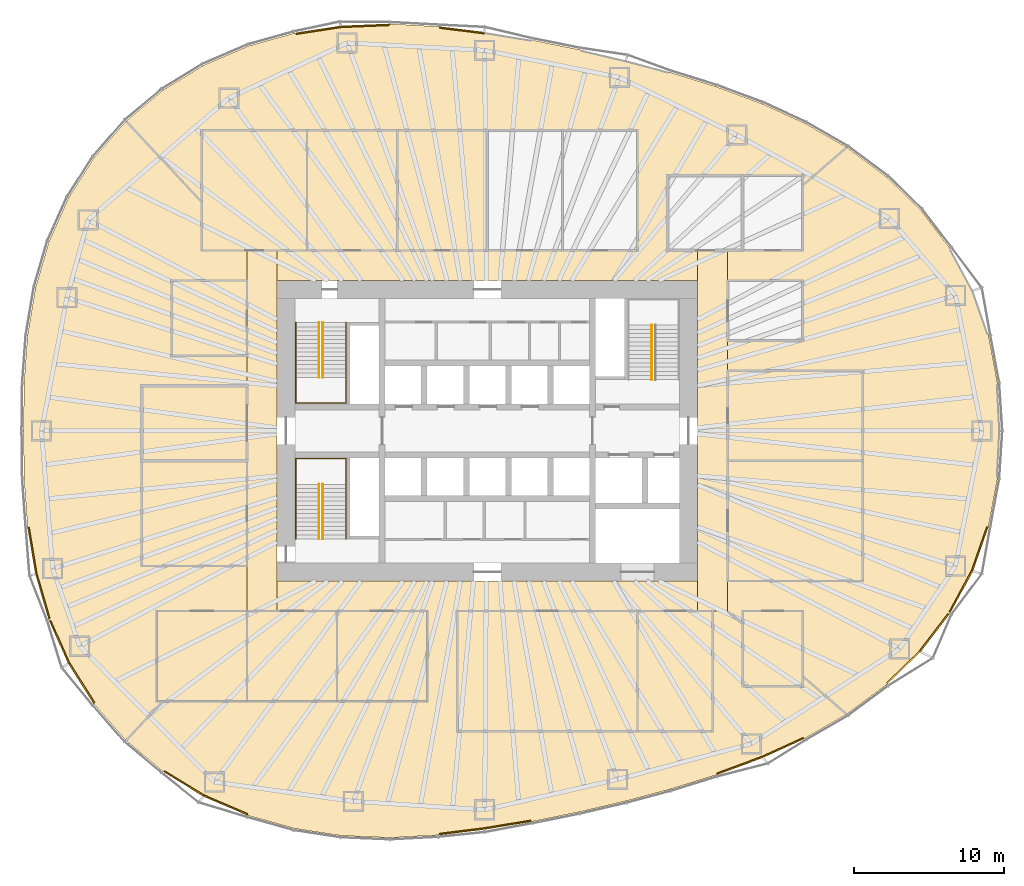
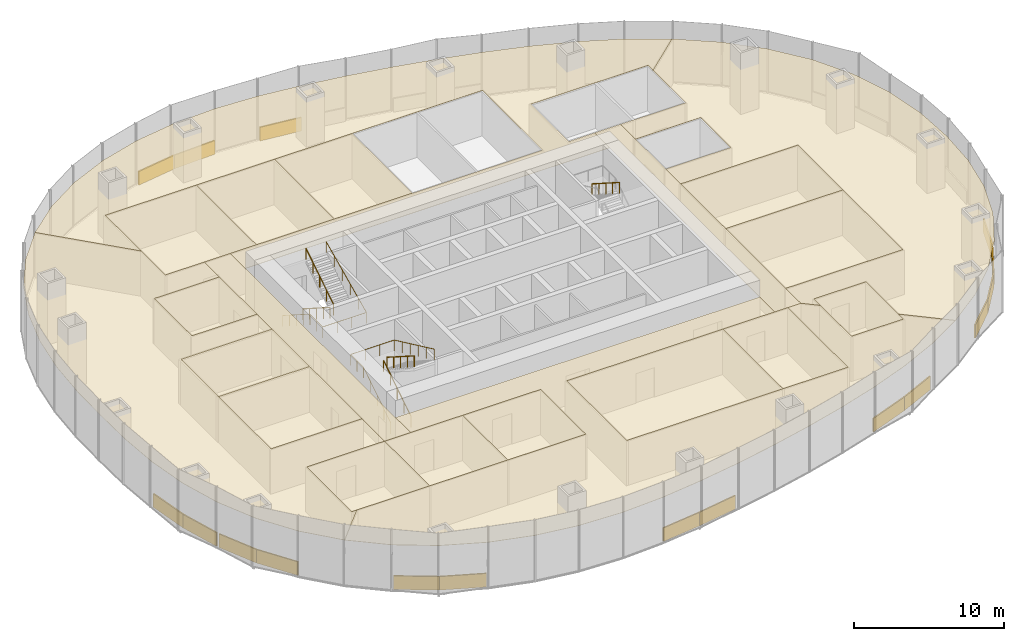
# One storey, part 17 of 18: 37 coverings, 7 railings.
"""IFC4 building model written with IfcOpenShell, lengths in metres."""

from ifc_helpers import new_model, si_unit, direction, frame, origin, origin_2d, place, context, subcontext, project, spatial, polyline, rectangle, circle, outline, extrude, material, layer, layer_set, type_object, element, save


model = new_model("IFC4")

# Units and contexts
model_context = context("Model", 3, precision=1e-05, world=origin(), true_north=direction((0.0, 1.0)))
body_context = subcontext(model_context, "Body", "Model", "MODEL_VIEW")
ifc_project = project(units=[si_unit("LENGTHUNIT", "METRE"), si_unit("AREAUNIT", "SQUARE_METRE"), si_unit("VOLUMEUNIT", "CUBIC_METRE"), si_unit("PLANEANGLEUNIT", "RADIAN"), si_unit("MASSUNIT", "GRAM", prefix="KILO")], contexts=[model_context])

# Site, building, storey
site_placement = place(None, origin())
site = spatial("IfcSite", under=ifc_project, at=site_placement, CompositionType="ELEMENT")
building_placement = place(site_placement, origin())
building = spatial("IfcBuilding", under=site, at=building_placement, Name="Ghaith Harvest Tower", CompositionType="ELEMENT")
storey_placement = place(building_placement, frame((0.0, 0.0, 95.0)))
storey = spatial("IfcBuildingStorey", under=building, at=storey_placement, Name="L19", CompositionType="ELEMENT", Elevation=95.0)

# Coverings
ifc_material_1 = material(Name="Mineral fibre ceiling tile", Category="gypsum")
ifc_layer_1 = layer(ifc_material_1, 0.02490234375)
ifc_layer_set_1 = layer_set([ifc_layer_1], Name="CEILING C2")
covering_type_1 = type_object("IfcCoveringType", Name="CEILING C2", PredefinedType="CEILING", material=ifc_layer_set_1)
covering_1_placement = place(storey_placement, frame((0.0, 0.0, 3.60009765625)))
element("IfcCovering", 1, at=covering_1_placement, inside=storey, type_object=covering_type_1, Name="Ceiling L19-01", PredefinedType="CEILING", context=body_context, shape_type="SweptSolid", body=[
    extrude(outline(polyline([(-2.0, -20.0), (10.0, -20.0), (10.0, -12.0), (-2.0, -12.0), (-2.0, -20.0)])), origin(), (0.0, 0.0, 1.0), 0.02490234375),
])
covering_2_placement = place(storey_placement, frame((0.0, 0.0, 3.60009765625)))
element("IfcCovering", 2, at=covering_2_placement, inside=storey, type_object=covering_type_1, Name="Ceiling L19-02", PredefinedType="CEILING", context=body_context, shape_type="SweptSolid", body=[
    extrude(outline(polyline([(10.0, -20.0), (15.0, -20.0), (15.0, -12.0), (10.0, -12.0), (10.0, -20.0)])), origin(), (0.0, 0.0, 1.0), 0.02490234375),
])
covering_3_placement = place(storey_placement, frame((0.0, 0.0, 3.60009765625)))
element("IfcCovering", 3, at=covering_3_placement, inside=storey, type_object=covering_type_1, Name="Ceiling L19-03", PredefinedType="CEILING", context=body_context, shape_type="SweptSolid", body=[
    extrude(outline(polyline([(-22.0, -18.0), (-16.0, -18.0), (-16.0, -12.0), (-22.0, -12.0), (-22.0, -18.0)])), origin(), (0.0, 0.0, 1.0), 0.02490234375),
])
covering_4_placement = place(storey_placement, frame((0.0, 0.0, 3.60009765625)))
element("IfcCovering", 4, at=covering_4_placement, inside=storey, type_object=covering_type_1, Name="Ceiling L19-04", PredefinedType="CEILING", context=body_context, shape_type="SweptSolid", body=[
    extrude(outline(polyline([(-16.0, -18.0), (-10.0, -18.0), (-10.0, -12.0), (-16.0, -12.0), (-16.0, -18.0)])), origin(), (0.0, 0.0, 1.0), 0.02490234375),
])
covering_5_placement = place(storey_placement, frame((0.0, 0.0, 3.60009765625)))
element("IfcCovering", 5, at=covering_5_placement, inside=storey, type_object=covering_type_1, Name="Ceiling L19-05", PredefinedType="CEILING", context=body_context, shape_type="SweptSolid", body=[
    extrude(outline(polyline([(-10.0, -18.0), (-4.0, -18.0), (-4.0, -12.0), (-10.0, -12.0), (-10.0, -18.0)])), origin(), (0.0, 0.0, 1.0), 0.02490234375),
])
covering_6_placement = place(storey_placement, frame((0.0, 0.0, 3.60009765625)))
element("IfcCovering", 6, at=covering_6_placement, inside=storey, type_object=covering_type_1, Name="Ceiling L19-06", PredefinedType="CEILING", context=body_context, shape_type="SweptSolid", body=[
    extrude(outline(polyline([(16.0, -10.0), (25.0, -10.0), (25.0, -2.0), (16.0, -2.0), (16.0, -10.0)])), origin(), (0.0, 0.0, 1.0), 0.02490234375),
])
covering_7_placement = place(storey_placement, frame((0.0, 0.0, 3.60009765625)))
element("IfcCovering", 7, at=covering_7_placement, inside=storey, type_object=covering_type_1, Name="Ceiling L19-07", PredefinedType="CEILING", context=body_context, shape_type="SweptSolid", body=[
    extrude(outline(polyline([(16.0, -2.0), (25.0, -2.0), (25.0, 4.0), (16.0, 4.0), (16.0, -2.0)])), origin(), (0.0, 0.0, 1.0), 0.02490234375),
])
covering_8_placement = place(storey_placement, frame((0.0, 0.0, 3.60009765625)))
element("IfcCovering", 8, at=covering_8_placement, inside=storey, type_object=covering_type_1, Name="Ceiling L19-08", PredefinedType="CEILING", context=body_context, shape_type="SweptSolid", body=[
    extrude(outline(polyline([(-19.0, 12.0), (-12.0, 12.0), (-12.0, 20.0), (-19.0, 20.0), (-19.0, 12.0)])), origin(), (0.0, 0.0, 1.0), 0.02490234375),
])
covering_9_placement = place(storey_placement, frame((0.0, 0.0, 3.60009765625)))
element("IfcCovering", 9, at=covering_9_placement, inside=storey, type_object=covering_type_1, Name="Ceiling L19-09", PredefinedType="CEILING", context=body_context, shape_type="SweptSolid", body=[
    extrude(outline(polyline([(-12.0, 12.0), (-6.0, 12.0), (-6.0, 20.0), (-12.0, 20.0), (-12.0, 12.0)])), origin(), (0.0, 0.0, 1.0), 0.02490234375),
])
covering_10_placement = place(storey_placement, frame((0.0, 0.0, 3.60009765625)))
element("IfcCovering", 10, at=covering_10_placement, inside=storey, type_object=covering_type_1, Name="Ceiling L19-10", PredefinedType="CEILING", context=body_context, shape_type="SweptSolid", body=[
    extrude(outline(polyline([(-6.0, 12.0), (0.0, 12.0), (0.0, 20.0), (-6.0, 20.0), (-6.0, 12.0)])), origin(), (0.0, 0.0, 1.0), 0.02490234375),
])
covering_11_placement = place(storey_placement, frame((0.0, 0.0, 3.60009765625)))
element("IfcCovering", 11, at=covering_11_placement, inside=storey, type_object=covering_type_1, Name="Ceiling L19-13", PredefinedType="CEILING", context=body_context, shape_type="SweptSolid", body=[
    extrude(outline(polyline([(-23.0, -9.0), (-16.0, -9.0), (-16.0, -2.0), (-23.0, -2.0), (-23.0, -9.0)])), origin(), (0.0, 0.0, 1.0), 0.02490234375),
])
covering_12_placement = place(storey_placement, frame((0.0, 0.0, 3.60009765625)))
element("IfcCovering", 12, at=covering_12_placement, inside=storey, type_object=covering_type_1, Name="Ceiling L19-14", PredefinedType="CEILING", context=body_context, shape_type="SweptSolid", body=[
    extrude(outline(polyline([(-23.0, -2.0), (-16.0, -2.0), (-16.0, 3.0), (-23.0, 3.0), (-23.0, -2.0)])), origin(), (0.0, 0.0, 1.0), 0.02490234375),
])
covering_13_placement = place(storey_placement, frame((0.0, 0.0, 3.60009765625)))
element("IfcCovering", 13, at=covering_13_placement, inside=storey, type_object=covering_type_1, Name="Ceiling L19-17", PredefinedType="CEILING", context=body_context, shape_type="SweptSolid", body=[
    extrude(outline(polyline([(17.0, -17.0), (21.0, -17.0), (21.0, -12.0), (17.0, -12.0), (17.0, -17.0)])), origin(), (0.0, 0.0, 1.0), 0.02490234375),
])
covering_14_placement = place(storey_placement, frame((0.0, 0.0, 3.60009765625)))
element("IfcCovering", 14, at=covering_14_placement, inside=storey, type_object=covering_type_1, Name="Ceiling L19-19", PredefinedType="CEILING", context=body_context, shape_type="SweptSolid", body=[
    extrude(outline(polyline([(-21.0, 5.0), (-16.0, 5.0), (-16.0, 10.0), (-21.0, 10.0), (-21.0, 5.0)])), origin(), (0.0, 0.0, 1.0), 0.02490234375),
])
covering_15_placement = place(storey_placement, frame((0.0, 0.0, 3.60009765625)))
element("IfcCovering", 15, at=covering_15_placement, inside=storey, type_object=covering_type_1, Name="Ceiling L19-C1", PredefinedType="CEILING", context=body_context, shape_type="SweptSolid", body=[
    extrude(outline(polyline([(14.0, -12.0), (14.0, 12.0), (16.0, 12.0), (16.0, -12.0), (14.0, -12.0)])), origin(), (0.0, 0.0, 1.0), 0.02490234375),
])
covering_16_placement = place(storey_placement, frame((0.0, 0.0, 3.60009765625)))
element("IfcCovering", 16, at=covering_16_placement, inside=storey, type_object=covering_type_1, Name="Ceiling L19-C2", PredefinedType="CEILING", context=body_context, shape_type="SweptSolid", body=[
    extrude(outline(polyline([(-14.0, 12.0), (-14.0, -12.0), (-16.0, -12.0), (-16.0, 12.0), (-14.0, 12.0)])), origin(), (0.0, 0.0, 1.0), 0.02490234375),
])
covering_17_placement = place(storey_placement, frame((0.0, 0.0, 3.60009765625)))
element("IfcCovering", 17, at=covering_17_placement, inside=storey, type_object=covering_type_1, Name="Ceiling L19-N1", PredefinedType="CEILING", context=body_context, shape_type="SweptSolid", body=[
    extrude(outline(polyline([(-21.59912109375, 22.671142578125), (-18.8935546875, 24.32763671875), (-15.907958984375, 25.614501953125), (-12.828125, 26.476806640625), (-9.733642578125, 26.949951171875), (-6.4375, 27.0849609375), (-3.24755859375, 26.91064453125), (-0.181396484375, 26.527099609375), (2.99560546875, 26.004150390625), (6.10888671875, 25.378662109375), (9.21533203125, 24.65087890625), (12.1796875, 23.857666015625), (15.22119140625, 22.916259765625), (18.34521484375, 21.7548828125), (21.149169921875, 20.469482421875), (23.92431640625, 18.873046875), (21.0, 16.336669921875), (21.0, 17.0), (12.0, 17.0), (12.0, 12.0), (14.0, 12.0), (14.0, 10.0), (-14.0, 10.0), (-14.0, 12.0), (10.0, 12.0), (10.0, 20.0), (-19.0, 20.0), (-19.0, 15.21240234375), (-24.04833984375, 20.618408203125), (-21.59912109375, 22.671142578125)])), origin(), (0.0, 0.0, 1.0), 0.02490234375),
])
covering_18_placement = place(storey_placement, frame((0.0, 0.0, 3.60009765625)))
element("IfcCovering", 18, at=covering_18_placement, inside=storey, type_object=covering_type_1, Name="Ceiling L19-E1", PredefinedType="CEILING", context=body_context, shape_type="SweptSolid", body=[
    extrude(outline(polyline([(26.572509765625, 16.9111328125), (28.840087890625, 14.708984375), (30.78515625, 12.1708984375), (32.318359375, 9.3408203125), (33.37158203125, 6.333984375), (33.95849609375, 3.194091796875), (34.125, 0.0), (33.95849609375, -3.194091796875), (33.37158203125, -6.333984375), (32.318359375, -9.3408203125), (30.78515625, -12.1708984375), (28.840087890625, -14.708984375), (26.572509765625, -16.9111328125), (23.92431640625, -18.873046875), (21.0, -16.336669921875), (21.0, -12.0), (17.0, -12.0), (17.0, -12.8671875), (16.0, -12.0), (16.0, -10.0), (25.0, -10.0), (25.0, 4.0), (16.0, 4.0), (16.0, 6.0), (21.0, 6.0), (21.0, 10.0), (16.0, 10.0), (16.0, 12.0), (21.0, 12.0), (21.0, 16.336669921875), (23.92431640625, 18.873046875), (26.572509765625, 16.9111328125)])), origin(), (0.0, 0.0, 1.0), 0.02490234375),
])
covering_19_placement = place(storey_placement, frame((0.0, 0.0, 3.60009765625)))
element("IfcCovering", 19, at=covering_19_placement, inside=storey, type_object=covering_type_1, Name="Ceiling L19-S1", PredefinedType="CEILING", context=body_context, shape_type="SweptSolid", body=[
    extrude(outline(polyline([(-21.59912109375, -22.671142578125), (-24.04833984375, -20.618408203125), (-21.60302734375, -18.0), (-4.0, -18.0), (-4.0, -12.0), (-14.0, -12.0), (-14.0, -10.0), (14.0, -10.0), (14.0, -12.0), (-2.0, -12.0), (-2.0, -20.0), (15.0, -20.0), (15.0, -12.0), (16.0, -12.0), (17.0, -12.8671875), (17.0, -17.0), (21.0, -17.0), (21.0, -16.336669921875), (23.92431640625, -18.873046875), (21.149169921875, -20.469482421875), (18.34521484375, -21.7548828125), (15.22119140625, -22.916259765625), (12.1796875, -23.857666015625), (9.21533203125, -24.65087890625), (6.10888671875, -25.378662109375), (2.99560546875, -26.004150390625), (-0.181396484375, -26.527099609375), (-3.24755859375, -26.91064453125), (-6.4375, -27.0849609375), (-9.733642578125, -26.949951171875), (-12.828125, -26.476806640625), (-15.907958984375, -25.614501953125), (-18.8935546875, -24.32763671875), (-21.59912109375, -22.671142578125)])), origin(), (0.0, 0.0, 1.0), 0.02490234375),
])
covering_20_placement = place(storey_placement, frame((0.0, 0.0, 3.60009765625)))
element("IfcCovering", 20, at=covering_20_placement, inside=storey, type_object=covering_type_1, Name="Ceiling L19-W1", PredefinedType="CEILING", context=body_context, shape_type="SweptSolid", body=[
    extrude(outline(polyline([(-26.16455078125, -18.20556640625), (-27.881591796875, -15.507080078125), (-29.182373046875, -12.587890625), (-30.073974609375, -9.531005859375), (-30.606689453125, -6.35107421875), (-30.837158203125, -3.165771484375), (-30.875, 0.0), (-30.837158203125, 3.165771484375), (-30.606689453125, 6.35107421875), (-30.073974609375, 9.531005859375), (-29.182373046875, 12.587890625), (-27.881591796875, 15.507080078125), (-26.16455078125, 18.20556640625), (-24.04833984375, 20.618408203125), (-19.0, 15.21240234375), (-19.0, 12.0), (-16.0, 12.0), (-16.0, 10.0), (-21.0, 10.0), (-21.0, 5.0), (-16.0, 5.0), (-16.0, 3.0), (-23.0, 3.0), (-23.0, -9.0), (-16.0, -9.0), (-16.0, -12.0), (-22.0, -12.0), (-22.0, -18.0), (-21.60302734375, -18.0), (-24.04833984375, -20.618408203125), (-26.16455078125, -18.20556640625)])), origin(), (0.0, 0.0, 1.0), 0.02490234375),
])

# Railings
ifc_material_2 = material(Name="Steel, black powder-coated", Category="steel")
railing_type = type_object("IfcRailingType", Name="HANDRAIL HR1", PredefinedType="HANDRAIL", material=ifc_material_2)
railing_1_placement = place(storey_placement, frame((-11.199951171875, 7.199951171875, 0.178466796875)))
element("IfcRailing", 21, at=railing_1_placement, inside=storey, type_object=railing_type, Name="Handrail HR1 stair ST1 L19 flight 1 inner", PredefinedType="HANDRAIL", context=body_context, shape_type="SweptSolid", body=[
    extrude(circle(Radius=0.02392578125, at=origin_2d()), frame((0.0, 0.0, 0.8759765625), z_axis=(0.0, -0.843111507901, 0.53773877045), x_axis=(1.0, 0.0, 0.0)), (0.0, 0.0, 1.0), 4.317138671875),
    extrude(circle(Radius=0.02099609375, at=origin_2d()), origin(), (0.0, 0.0, 1.0), 0.851806640625),
    extrude(circle(Radius=0.02099609375, at=origin_2d()), frame((0.0, -0.909912109375, 0.580322265625)), (0.0, 0.0, 1.0), 0.851806640625),
    extrude(circle(Radius=0.02099609375, at=origin_2d()), frame((0.0, -1.81982421875, 1.16064453125)), (0.0, 0.0, 1.0), 0.851806640625),
    extrude(circle(Radius=0.02099609375, at=origin_2d()), frame((0.0, -2.72998046875, 1.7412109375)), (0.0, 0.0, 1.0), 0.851806640625),
    extrude(circle(Radius=0.02099609375, at=origin_2d()), frame((0.0, -3.639892578125, 2.321533203125)), (0.0, 0.0, 1.0), 0.851806640625),
])
railing_2_placement = place(storey_placement, frame((-10.949951171875, 3.56005859375, 2.678466796875)))
element("IfcRailing", 22, at=railing_2_placement, inside=storey, type_object=railing_type, Name="Handrail HR1 stair ST1 L19 flight 2 inner", PredefinedType="HANDRAIL", context=body_context, shape_type="SweptSolid", body=[
    extrude(circle(Radius=0.02392578125, at=origin_2d()), frame((0.0, 0.0, 0.8759765625), z_axis=(0.0, 0.843111507901, 0.53773877045), x_axis=(-1.0, 0.0, 0.0)), (0.0, 0.0, 1.0), 4.317138671875),
    extrude(circle(Radius=0.02099609375, at=origin_2d()), origin(), (0.0, 0.0, 1.0), 0.851806640625),
    extrude(circle(Radius=0.02099609375, at=origin_2d()), frame((0.0, 0.909912109375, 0.580322265625)), (0.0, 0.0, 1.0), 0.851806640625),
    extrude(circle(Radius=0.02099609375, at=origin_2d()), frame((0.0, 1.81982421875, 1.16064453125)), (0.0, 0.0, 1.0), 0.851806640625),
    extrude(circle(Radius=0.02099609375, at=origin_2d()), frame((0.0, 2.72998046875, 1.7412109375)), (0.0, 0.0, 1.0), 0.851806640625),
    extrude(circle(Radius=0.02099609375, at=origin_2d()), frame((0.0, 3.639892578125, 2.321533203125)), (0.0, 0.0, 1.0), 0.851806640625),
])
railing_3_placement = place(storey_placement, frame((-12.75, 7.199951171875, 0.178466796875)))
element("IfcRailing", 23, at=railing_3_placement, inside=storey, type_object=railing_type, Name="Handrail HR1 stair ST1 L19 wall side", PredefinedType="HANDRAIL", context=body_context, shape_type="SweptSolid", body=[
    extrude(circle(Radius=0.02392578125, at=origin_2d()), frame((0.0, 0.0, 0.8759765625), z_axis=(0.0, -0.843111507901, 0.53773877045), x_axis=(1.0, 0.0, 0.0)), (0.0, 0.0, 1.0), 4.317138671875),
    extrude(circle(Radius=0.02392578125, at=origin_2d()), frame((0.0, -3.639892578125, 3.197265625), z_axis=(0.0, -1.0, 0.0), x_axis=(1.0, 0.0, 0.0)), (0.0, 0.0, 1.0), 1.7099609375),
    extrude(circle(Radius=0.02392578125, at=origin_2d()), frame((0.0, -5.349853515625, 3.197265625), z_axis=(1.0, 0.0, 0.0), x_axis=(0.0, 1.0, 0.0)), (0.0, 0.0, 1.0), 3.35009765625),
    extrude(circle(Radius=0.02392578125, at=origin_2d()), frame((3.35009765625, -5.349853515625, 3.197265625), z_axis=(0.0, 0.905962265858, 0.423358444868), x_axis=(-1.0, 0.0, 0.0)), (0.0, 0.0, 1.0), 5.9052734375),
    extrude(circle(Radius=0.02099609375, at=origin_2d()), origin(), (0.0, 0.0, 1.0), 0.851806640625),
    extrude(circle(Radius=0.02099609375, at=origin_2d()), frame((0.0, -0.909912109375, 0.580322265625)), (0.0, 0.0, 1.0), 0.851806640625),
    extrude(circle(Radius=0.02099609375, at=origin_2d()), frame((0.0, -1.81982421875, 1.16064453125)), (0.0, 0.0, 1.0), 0.851806640625),
    extrude(circle(Radius=0.02099609375, at=origin_2d()), frame((0.0, -2.72998046875, 1.7412109375)), (0.0, 0.0, 1.0), 0.851806640625),
    extrude(circle(Radius=0.02099609375, at=origin_2d()), frame((0.0, -3.639892578125, 2.321533203125)), (0.0, 0.0, 1.0), 0.851806640625),
    extrude(circle(Radius=0.02099609375, at=origin_2d()), frame((0.0, -4.494873046875, 2.321533203125)), (0.0, 0.0, 1.0), 0.851806640625),
    extrude(circle(Radius=0.02099609375, at=origin_2d()), frame((0.0, -5.349853515625, 2.321533203125)), (0.0, 0.0, 1.0), 0.851806640625),
    extrude(circle(Radius=0.02099609375, at=origin_2d()), frame((1.11669921875, -5.349853515625, 2.321533203125)), (0.0, 0.0, 1.0), 0.851806640625),
    extrude(circle(Radius=0.02099609375, at=origin_2d()), frame((2.2333984375, -5.349853515625, 2.321533203125)), (0.0, 0.0, 1.0), 0.851806640625),
    extrude(circle(Radius=0.02099609375, at=origin_2d()), frame((3.35009765625, -5.349853515625, 2.321533203125)), (0.0, 0.0, 1.0), 0.851806640625),
    extrude(circle(Radius=0.02099609375, at=origin_2d()), frame((3.35009765625, -4.27978515625, 2.821533203125)), (0.0, 0.0, 1.0), 0.851806640625),
    extrude(circle(Radius=0.02099609375, at=origin_2d()), frame((3.35009765625, -3.2099609375, 3.321533203125)), (0.0, 0.0, 1.0), 0.851806640625),
    extrude(circle(Radius=0.02099609375, at=origin_2d()), frame((3.35009765625, -2.139892578125, 3.821533203125)), (0.0, 0.0, 1.0), 0.851806640625),
    extrude(circle(Radius=0.02099609375, at=origin_2d()), frame((3.35009765625, -1.070068359375, 4.321533203125)), (0.0, 0.0, 1.0), 0.851806640625),
    extrude(circle(Radius=0.02099609375, at=origin_2d()), frame((3.35009765625, 0.0, 4.821533203125)), (0.0, 0.0, 1.0), 0.851806640625),
])
railing_4_placement = place(storey_placement, frame((-11.199951171875, -7.199951171875, 0.178466796875)))
element("IfcRailing", 24, at=railing_4_placement, inside=storey, type_object=railing_type, Name="Handrail HR1 stair ST3 L19 flight 1 inner", PredefinedType="HANDRAIL", context=body_context, shape_type="SweptSolid", body=[
    extrude(circle(Radius=0.02392578125, at=origin_2d()), frame((0.0, 0.0, 0.8759765625), z_axis=(0.0, 0.843111507901, 0.53773877045), x_axis=(-1.0, 0.0, 0.0)), (0.0, 0.0, 1.0), 4.317138671875),
    extrude(circle(Radius=0.02099609375, at=origin_2d()), origin(), (0.0, 0.0, 1.0), 0.851806640625),
    extrude(circle(Radius=0.02099609375, at=origin_2d()), frame((0.0, 0.909912109375, 0.580322265625)), (0.0, 0.0, 1.0), 0.851806640625),
    extrude(circle(Radius=0.02099609375, at=origin_2d()), frame((0.0, 1.81982421875, 1.16064453125)), (0.0, 0.0, 1.0), 0.851806640625),
    extrude(circle(Radius=0.02099609375, at=origin_2d()), frame((0.0, 2.72998046875, 1.7412109375)), (0.0, 0.0, 1.0), 0.851806640625),
    extrude(circle(Radius=0.02099609375, at=origin_2d()), frame((0.0, 3.639892578125, 2.321533203125)), (0.0, 0.0, 1.0), 0.851806640625),
])
railing_5_placement = place(storey_placement, frame((-10.949951171875, -3.56005859375, 2.678466796875)))
element("IfcRailing", 25, at=railing_5_placement, inside=storey, type_object=railing_type, Name="Handrail HR1 stair ST3 L19 flight 2 inner", PredefinedType="HANDRAIL", context=body_context, shape_type="SweptSolid", body=[
    extrude(circle(Radius=0.02392578125, at=origin_2d()), frame((0.0, 0.0, 0.8759765625), z_axis=(0.0, -0.843111507901, 0.53773877045), x_axis=(1.0, 0.0, 0.0)), (0.0, 0.0, 1.0), 4.317138671875),
    extrude(circle(Radius=0.02099609375, at=origin_2d()), origin(), (0.0, 0.0, 1.0), 0.851806640625),
    extrude(circle(Radius=0.02099609375, at=origin_2d()), frame((0.0, -0.909912109375, 0.580322265625)), (0.0, 0.0, 1.0), 0.851806640625),
    extrude(circle(Radius=0.02099609375, at=origin_2d()), frame((0.0, -1.81982421875, 1.16064453125)), (0.0, 0.0, 1.0), 0.851806640625),
    extrude(circle(Radius=0.02099609375, at=origin_2d()), frame((0.0, -2.72998046875, 1.7412109375)), (0.0, 0.0, 1.0), 0.851806640625),
    extrude(circle(Radius=0.02099609375, at=origin_2d()), frame((0.0, -3.639892578125, 2.321533203125)), (0.0, 0.0, 1.0), 0.851806640625),
])
railing_6_placement = place(storey_placement, frame((-12.75, -7.199951171875, 0.178466796875)))
element("IfcRailing", 26, at=railing_6_placement, inside=storey, type_object=railing_type, Name="Handrail HR1 stair ST3 L19 wall side", PredefinedType="HANDRAIL", context=body_context, shape_type="SweptSolid", body=[
    extrude(circle(Radius=0.02392578125, at=origin_2d()), frame((0.0, 0.0, 0.8759765625), z_axis=(0.0, 0.843111507901, 0.53773877045), x_axis=(-1.0, 0.0, 0.0)), (0.0, 0.0, 1.0), 4.317138671875),
    extrude(circle(Radius=0.02392578125, at=origin_2d()), frame((0.0, 3.639892578125, 3.197265625), z_axis=(0.0, 1.0, 0.0), x_axis=(-1.0, 0.0, 0.0)), (0.0, 0.0, 1.0), 1.7099609375),
    extrude(circle(Radius=0.02392578125, at=origin_2d()), frame((0.0, 5.349853515625, 3.197265625), z_axis=(1.0, 0.0, 0.0), x_axis=(0.0, 1.0, 0.0)), (0.0, 0.0, 1.0), 3.35009765625),
    extrude(circle(Radius=0.02392578125, at=origin_2d()), frame((3.35009765625, 5.349853515625, 3.197265625), z_axis=(0.0, -0.905962265858, 0.423358444868), x_axis=(1.0, 0.0, 0.0)), (0.0, 0.0, 1.0), 5.9052734375),
    extrude(circle(Radius=0.02099609375, at=origin_2d()), origin(), (0.0, 0.0, 1.0), 0.851806640625),
    extrude(circle(Radius=0.02099609375, at=origin_2d()), frame((0.0, 0.909912109375, 0.580322265625)), (0.0, 0.0, 1.0), 0.851806640625),
    extrude(circle(Radius=0.02099609375, at=origin_2d()), frame((0.0, 1.81982421875, 1.16064453125)), (0.0, 0.0, 1.0), 0.851806640625),
    extrude(circle(Radius=0.02099609375, at=origin_2d()), frame((0.0, 2.72998046875, 1.7412109375)), (0.0, 0.0, 1.0), 0.851806640625),
    extrude(circle(Radius=0.02099609375, at=origin_2d()), frame((0.0, 3.639892578125, 2.321533203125)), (0.0, 0.0, 1.0), 0.851806640625),
    extrude(circle(Radius=0.02099609375, at=origin_2d()), frame((0.0, 4.494873046875, 2.321533203125)), (0.0, 0.0, 1.0), 0.851806640625),
    extrude(circle(Radius=0.02099609375, at=origin_2d()), frame((0.0, 5.349853515625, 2.321533203125)), (0.0, 0.0, 1.0), 0.851806640625),
    extrude(circle(Radius=0.02099609375, at=origin_2d()), frame((1.11669921875, 5.349853515625, 2.321533203125)), (0.0, 0.0, 1.0), 0.851806640625),
    extrude(circle(Radius=0.02099609375, at=origin_2d()), frame((2.2333984375, 5.349853515625, 2.321533203125)), (0.0, 0.0, 1.0), 0.851806640625),
    extrude(circle(Radius=0.02099609375, at=origin_2d()), frame((3.35009765625, 5.349853515625, 2.321533203125)), (0.0, 0.0, 1.0), 0.851806640625),
    extrude(circle(Radius=0.02099609375, at=origin_2d()), frame((3.35009765625, 4.27978515625, 2.821533203125)), (0.0, 0.0, 1.0), 0.851806640625),
    extrude(circle(Radius=0.02099609375, at=origin_2d()), frame((3.35009765625, 3.2099609375, 3.321533203125)), (0.0, 0.0, 1.0), 0.851806640625),
    extrude(circle(Radius=0.02099609375, at=origin_2d()), frame((3.35009765625, 2.139892578125, 3.821533203125)), (0.0, 0.0, 1.0), 0.851806640625),
    extrude(circle(Radius=0.02099609375, at=origin_2d()), frame((3.35009765625, 1.070068359375, 4.321533203125)), (0.0, 0.0, 1.0), 0.851806640625),
    extrude(circle(Radius=0.02099609375, at=origin_2d()), frame((3.35009765625, 0.0, 4.821533203125)), (0.0, 0.0, 1.0), 0.851806640625),
])
railing_7_placement = place(storey_placement, frame((10.949951171875, 7.0400390625, 2.678466796875)))
element("IfcRailing", 27, at=railing_7_placement, inside=storey, type_object=railing_type, Name="Handrail HR1 stair ST2 L19 flight 2 inner", PredefinedType="HANDRAIL", context=body_context, shape_type="SweptSolid", body=[
    extrude(circle(Radius=0.02392578125, at=origin_2d()), frame((0.0, 0.0, 0.8759765625), z_axis=(0.0, -0.843127859045, 0.537713132908), x_axis=(1.0, 0.0, 0.0)), (0.0, 0.0, 1.0), 4.3173828125),
    extrude(circle(Radius=0.02099609375, at=origin_2d()), origin(), (0.0, 0.0, 1.0), 0.851806640625),
    extrude(circle(Radius=0.02099609375, at=origin_2d()), frame((0.0, -0.91015625, 0.580322265625)), (0.0, 0.0, 1.0), 0.851806640625),
    extrude(circle(Radius=0.02099609375, at=origin_2d()), frame((0.0, -1.820068359375, 1.16064453125)), (0.0, 0.0, 1.0), 0.851806640625),
    extrude(circle(Radius=0.02099609375, at=origin_2d()), frame((0.0, -2.72998046875, 1.7412109375)), (0.0, 0.0, 1.0), 0.851806640625),
    extrude(circle(Radius=0.02099609375, at=origin_2d()), frame((0.0, -3.64013671875, 2.321533203125)), (0.0, 0.0, 1.0), 0.851806640625),
])

# Coverings
ifc_material_3 = material(Name="Insulated aluminium spandrel panel on steel framing", Category="steel")
ifc_layer_2 = layer(ifc_material_3, 0.10009765625)
ifc_layer_set_2 = layer_set([ifc_layer_2], Name="SLAB EDGE UPSTAND 1100x100")
covering_type_2 = type_object("IfcCoveringType", Name="SLAB EDGE UPSTAND 1100x100", PredefinedType="CLADDING", material=ifc_layer_set_2)
covering_21_placement = place(storey_placement, frame((-1.671142578125, 26.6630859375, 0.0), z_axis=(0.0, 0.0, 1.0), x_axis=(-0.99226486887, 0.124138753038, 0.0)))
element("IfcCovering", 28, at=covering_21_placement, inside=storey, type_object=covering_type_2, Name="Slab edge upstand 1 bay 06 L19", PredefinedType="CLADDING", context=body_context, shape_type="SweptSolid", body=[
    extrude(rectangle(XDim=2.98974609375, YDim=0.10009765625, at=origin_2d()), origin(), (0.0, 0.0, 1.0), 1.10009765625),
])
covering_22_placement = place(storey_placement, frame((-8.133544921875, 26.965576171875, 0.0), z_axis=(0.0, 0.0, 1.0), x_axis=(-0.999160890982, -0.040957464901, 0.0)))
element("IfcCovering", 29, at=covering_22_placement, inside=storey, type_object=covering_type_2, Name="Slab edge upstand 3 bay 06 L19", PredefinedType="CLADDING", context=body_context, shape_type="SweptSolid", body=[
    extrude(rectangle(XDim=3.198974609375, YDim=0.10009765625, at=origin_2d()), origin(), (0.0, 0.0, 1.0), 1.10009765625),
])
covering_23_placement = place(storey_placement, frame((-11.22412109375, 26.67138671875, 0.0), z_axis=(0.0, 0.0, 1.0), x_axis=(-0.988517924816, -0.1511036476, 0.0)))
element("IfcCovering", 30, at=covering_23_placement, inside=storey, type_object=covering_type_2, Name="Slab edge upstand 1 bay 07 L19", PredefinedType="CLADDING", context=body_context, shape_type="SweptSolid", body=[
    extrude(rectangle(XDim=3.030517578125, YDim=0.10009765625, at=origin_2d()), origin(), (0.0, 0.0, 1.0), 1.10009765625),
])
covering_24_placement = place(storey_placement, frame((-30.28271484375, -7.982177734375, 0.0), z_axis=(0.0, 0.0, 1.0), x_axis=(0.165246181786, -0.986252350773, 0.0)))
element("IfcCovering", 31, at=covering_24_placement, inside=storey, type_object=covering_type_2, Name="Slab edge upstand 3 bay 11 L19", PredefinedType="CLADDING", context=body_context, shape_type="SweptSolid", body=[
    extrude(rectangle(XDim=3.124267578125, YDim=0.10009765625, at=origin_2d()), origin(), (0.0, 0.0, 1.0), 1.10009765625),
])
covering_25_placement = place(storey_placement, frame((-29.593994140625, -10.997314453125, 0.0), z_axis=(0.0, 0.0, 1.0), x_axis=(0.280032411303, -0.95999054611, 0.0)))
element("IfcCovering", 32, at=covering_25_placement, inside=storey, type_object=covering_type_2, Name="Slab edge upstand 1 bay 12 L19", PredefinedType="CLADDING", context=body_context, shape_type="SweptSolid", body=[
    extrude(rectangle(XDim=3.084228515625, YDim=0.10009765625, at=origin_2d()), origin(), (0.0, 0.0, 1.0), 1.10009765625),
])
covering_26_placement = place(storey_placement, frame((-28.4658203125, -14.07275390625, 0.0), z_axis=(0.0, 0.0, 1.0), x_axis=(0.407003427802, -0.913426630747, 0.0)))
element("IfcCovering", 33, at=covering_26_placement, inside=storey, type_object=covering_type_2, Name="Slab edge upstand 2 bay 12 L19", PredefinedType="CLADDING", context=body_context, shape_type="SweptSolid", body=[
    extrude(rectangle(XDim=3.095947265625, YDim=0.10009765625, at=origin_2d()), origin(), (0.0, 0.0, 1.0), 1.10009765625),
])
covering_27_placement = place(storey_placement, frame((-27.0078125, -16.787353515625, 0.0), z_axis=(0.0, 0.0, 1.0), x_axis=(0.536807372204, -0.843704832952, 0.0)))
element("IfcCovering", 34, at=covering_27_placement, inside=storey, type_object=covering_type_2, Name="Slab edge upstand 3 bay 12 L19", PredefinedType="CLADDING", context=body_context, shape_type="SweptSolid", body=[
    extrude(rectangle(XDim=3.098388671875, YDim=0.10009765625, at=origin_2d()), origin(), (0.0, 0.0, 1.0), 1.10009765625),
])
covering_28_placement = place(storey_placement, frame((-20.177490234375, -23.48291015625, 0.0), z_axis=(0.0, 0.0, 1.0), x_axis=(0.852846651269, -0.522161459148, 0.0)))
element("IfcCovering", 35, at=covering_28_placement, inside=storey, type_object=covering_type_2, Name="Slab edge upstand 3 bay 13 L19", PredefinedType="CLADDING", context=body_context, shape_type="SweptSolid", body=[
    extrude(rectangle(XDim=3.072265625, YDim=0.10009765625, at=origin_2d()), origin(), (0.0, 0.0, 1.0), 1.10009765625),
])
covering_29_placement = place(storey_placement, frame((-17.427001953125, -24.905517578125, 0.0), z_axis=(0.0, 0.0, 1.0), x_axis=(0.918306928324, -0.395869151856, 0.0)))
element("IfcCovering", 36, at=covering_29_placement, inside=storey, type_object=covering_type_2, Name="Slab edge upstand 1 bay 14 L19", PredefinedType="CLADDING", context=body_context, shape_type="SweptSolid", body=[
    extrude(rectangle(XDim=3.1513671875, YDim=0.10009765625, at=origin_2d()), origin(), (0.0, 0.0, 1.0), 1.10009765625),
])
covering_30_placement = place(storey_placement, frame((-1.671142578125, -26.6630859375, 0.0), z_axis=(0.0, 0.0, 1.0), x_axis=(0.992264868881, 0.124138752952, 0.0)))
element("IfcCovering", 37, at=covering_30_placement, inside=storey, type_object=covering_type_2, Name="Slab edge upstand 3 bay 15 L19", PredefinedType="CLADDING", context=body_context, shape_type="SweptSolid", body=[
    extrude(rectangle(XDim=2.98974609375, YDim=0.10009765625, at=origin_2d()), origin(), (0.0, 0.0, 1.0), 1.10009765625),
])
covering_31_placement = place(storey_placement, frame((1.349609375, -26.224365234375, 0.0), z_axis=(0.0, 0.0, 1.0), x_axis=(0.98671624755, 0.162453214254, 0.0)))
element("IfcCovering", 38, at=covering_31_placement, inside=storey, type_object=covering_type_2, Name="Slab edge upstand 1 bay 16 L19", PredefinedType="CLADDING", context=body_context, shape_type="SweptSolid", body=[
    extrude(rectangle(XDim=3.119873046875, YDim=0.10009765625, at=origin_2d()), origin(), (0.0, 0.0, 1.0), 1.10009765625),
])
covering_32_placement = place(storey_placement, frame((16.8125, -22.271240234375, 0.0), z_axis=(0.0, 0.0, 1.0), x_axis=(0.937331853701, 0.348437937139, 0.0)))
element("IfcCovering", 39, at=covering_32_placement, inside=storey, type_object=covering_type_2, Name="Slab edge upstand 3 bay 17 L19", PredefinedType="CLADDING", context=body_context, shape_type="SweptSolid", body=[
    extrude(rectangle(XDim=3.23291015625, YDim=0.10009765625, at=origin_2d()), origin(), (0.0, 0.0, 1.0), 1.10009765625),
])
covering_33_placement = place(storey_placement, frame((19.680908203125, -21.087646484375, 0.0), z_axis=(0.0, 0.0, 1.0), x_axis=(0.909046054499, 0.416695657284, 0.0)))
element("IfcCovering", 40, at=covering_33_placement, inside=storey, type_object=covering_type_2, Name="Slab edge upstand 1 bay 18 L19", PredefinedType="CLADDING", context=body_context, shape_type="SweptSolid", body=[
    extrude(rectangle(XDim=2.984619140625, YDim=0.10009765625, at=origin_2d()), origin(), (0.0, 0.0, 1.0), 1.10009765625),
])
covering_34_placement = place(storey_placement, frame((27.70751953125, -15.7392578125, 0.0), z_axis=(0.0, 0.0, 1.0), x_axis=(0.717386427289, 0.69667547247, 0.0)))
element("IfcCovering", 41, at=covering_34_placement, inside=storey, type_object=covering_type_2, Name="Slab edge upstand 1 bay 19 L19", PredefinedType="CLADDING", context=body_context, shape_type="SweptSolid", body=[
    extrude(rectangle(XDim=3.06103515625, YDim=0.10009765625, at=origin_2d()), origin(), (0.0, 0.0, 1.0), 1.10009765625),
])
covering_35_placement = place(storey_placement, frame((29.74267578125, -13.44921875, 0.0), z_axis=(0.0, 0.0, 1.0), x_axis=(0.608255123652, 0.7937415855, 0.0)))
element("IfcCovering", 42, at=covering_35_placement, inside=storey, type_object=covering_type_2, Name="Slab edge upstand 2 bay 19 L19", PredefinedType="CLADDING", context=body_context, shape_type="SweptSolid", body=[
    extrude(rectangle(XDim=3.09765625, YDim=0.10009765625, at=origin_2d()), origin(), (0.0, 0.0, 1.0), 1.10009765625),
])
covering_36_placement = place(storey_placement, frame((31.53173828125, -10.68798828125, 0.0), z_axis=(0.0, 0.0, 1.0), x_axis=(0.4763492928, 0.879256135178, 0.0)))
element("IfcCovering", 43, at=covering_36_placement, inside=storey, type_object=covering_type_2, Name="Slab edge upstand 3 bay 19 L19", PredefinedType="CLADDING", context=body_context, shape_type="SweptSolid", body=[
    extrude(rectangle(XDim=3.118896484375, YDim=0.10009765625, at=origin_2d()), origin(), (0.0, 0.0, 1.0), 1.10009765625),
])
covering_37_placement = place(storey_placement, frame((32.78125, -7.867919921875, 0.0), z_axis=(0.0, 0.0, 1.0), x_axis=(0.330597697302, 0.943771774604, 0.0)))
element("IfcCovering", 44, at=covering_37_placement, inside=storey, type_object=covering_type_2, Name="Slab edge upstand 1 bay 20 L19", PredefinedType="CLADDING", context=body_context, shape_type="SweptSolid", body=[
    extrude(rectangle(XDim=3.0859375, YDim=0.10009765625, at=origin_2d()), origin(), (0.0, 0.0, 1.0), 1.10009765625),
])

save(model, "model.ifc")
